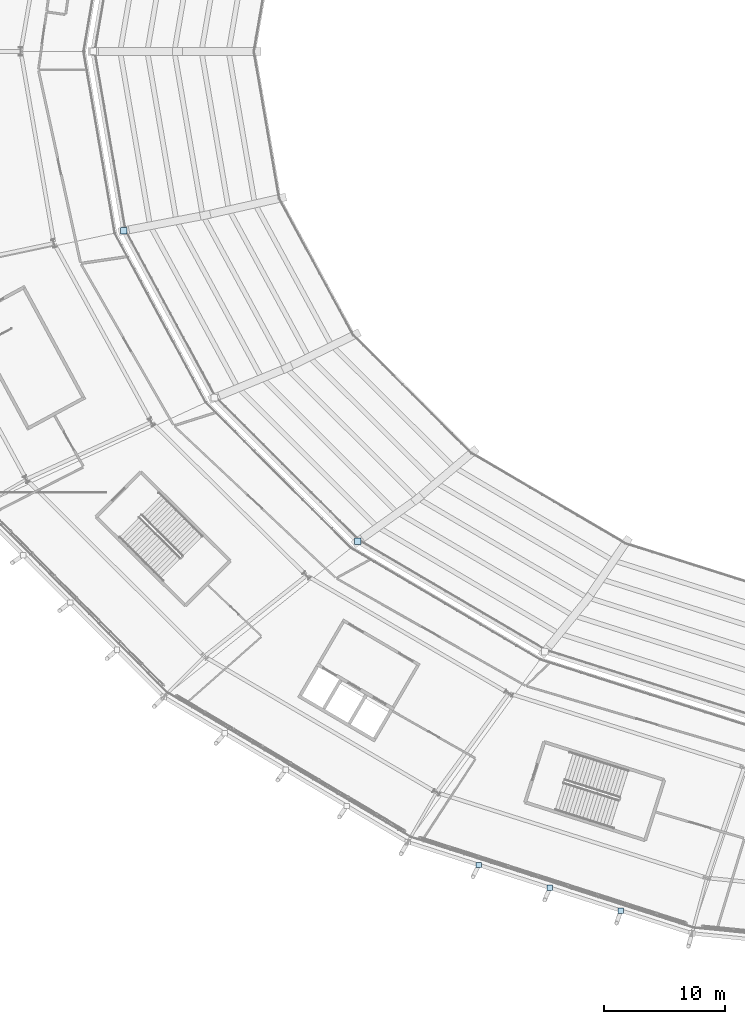
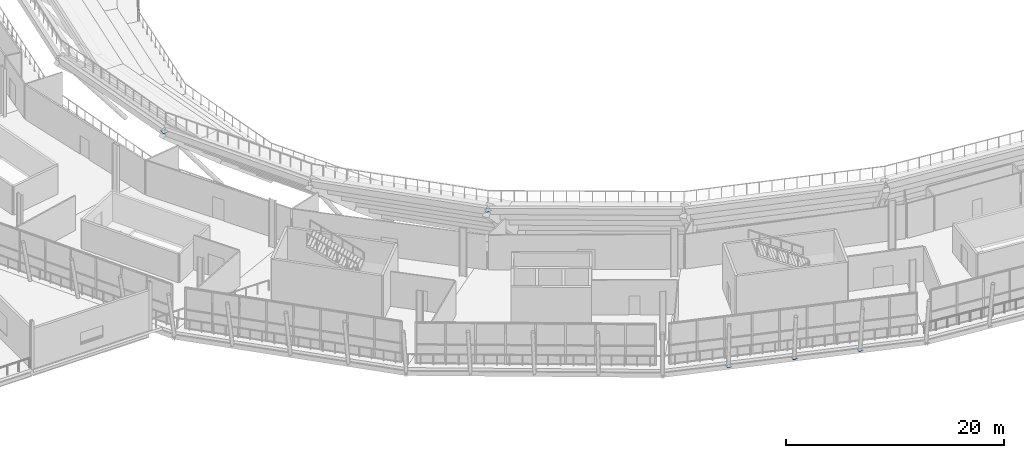
# One storey, part 76 of 126: 5 plates.
"""IFC4 building model written with IfcOpenShell, lengths in metres."""

from ifc_helpers import new_model, si_unit, direction, frame, origin, origin_2d, place, context, subcontext, project, spatial, rectangle, extrude, material, layer, layer_set, type_object, element, save


model = new_model("IFC4")

# Units and contexts
model_context = context("Model", 3, precision=1e-05, world=origin(), true_north=direction((0.0, 1.0)))
body_context = subcontext(model_context, "Body", "Model", "MODEL_VIEW")
ifc_project = project(units=[si_unit("LENGTHUNIT", "METRE"), si_unit("AREAUNIT", "SQUARE_METRE"), si_unit("VOLUMEUNIT", "CUBIC_METRE"), si_unit("PLANEANGLEUNIT", "RADIAN"), si_unit("MASSUNIT", "GRAM", prefix="KILO")], contexts=[model_context])

# Site, building, storey
site_placement = place(None, origin())
site = spatial("IfcSite", under=ifc_project, at=site_placement, CompositionType="ELEMENT")
building_placement = place(site_placement, origin())
building = spatial("IfcBuilding", under=site, at=building_placement, Name="Zlatoyarsky Gate Stadium", CompositionType="ELEMENT")
storey_placement = place(building_placement, frame((0.0, 0.0, 20.800048828125)))
storey = spatial("IfcBuildingStorey", under=building, at=storey_placement, Name="L04", CompositionType="ELEMENT", Elevation=20.800048828125)

# Plates
ifc_material = material(Name="Steel S355", Category="steel")
ifc_layer = layer(ifc_material, 0.02392578125)
ifc_layer_set = layer_set([ifc_layer], Name="Steel S355")
plate_type = type_object("IfcPlateType", Name="STEEL HOLLOW CHORD SPLICE SHEET 24", PredefinedType="SHEET", material=ifc_layer_set)
for number, where, z_axis, x_axis, name in (
    (1, (38.5556640625, 65.117919921875, 4.177978515625), (0.0, 0.0, 1.0), (1.0, 0.0, 0.0), "Node closure plate ND-SP1 NCAP-UTOP-13"),
    (2, (57.967041015625, 39.34130859375, 4.177978515625), (0.0, 0.0, 1.0), (1.0, 0.0, 0.0), "Node closure plate ND-SP1 NCAP-UTOP-15"),
):
    element("IfcPlate", number, at=place(storey_placement, frame(where, z_axis=z_axis, x_axis=x_axis)), inside=storey, type_object=plate_type, Name=name, PredefinedType="SHEET", context=body_context, shape_type="SweptSolid", body=[
        extrude(rectangle(XDim=0.5400390625, YDim=0.5400390625, at=origin_2d()), origin(), (0.0, 0.0, 1.0), 0.02392578125),
    ])
for number, where, z_axis, x_axis, name in (
    (3, (68.01025390625, 12.4892578125, -0.56201171875), (0.0, 0.0, 1.0), (1.0, 0.0, 0.0), "Node closure plate ND-SP1 NCAP-RIB-16-1-2T"),
    (4, (73.9052734375, 10.596923828125, -0.56201171875), (0.0, 0.0, 1.0), (1.0, 0.0, 0.0), "Node closure plate ND-SP1 NCAP-RIB-16-2-2T"),
    (5, (79.80029296875, 8.70458984375, -0.56201171875), (0.0, 0.0, 1.0), (1.0, 0.0, 0.0), "Node closure plate ND-SP1 NCAP-RIB-16-3-2T"),
):
    element("IfcPlate", number, at=place(storey_placement, frame(where, z_axis=z_axis, x_axis=x_axis)), inside=storey, type_object=plate_type, Name=name, PredefinedType="SHEET", context=body_context, shape_type="SweptSolid", body=[
        extrude(rectangle(XDim=0.43994140625, YDim=0.43994140625, at=origin_2d()), origin(), (0.0, 0.0, 1.0), 0.02392578125),
    ])

save(model, "model.ifc")
